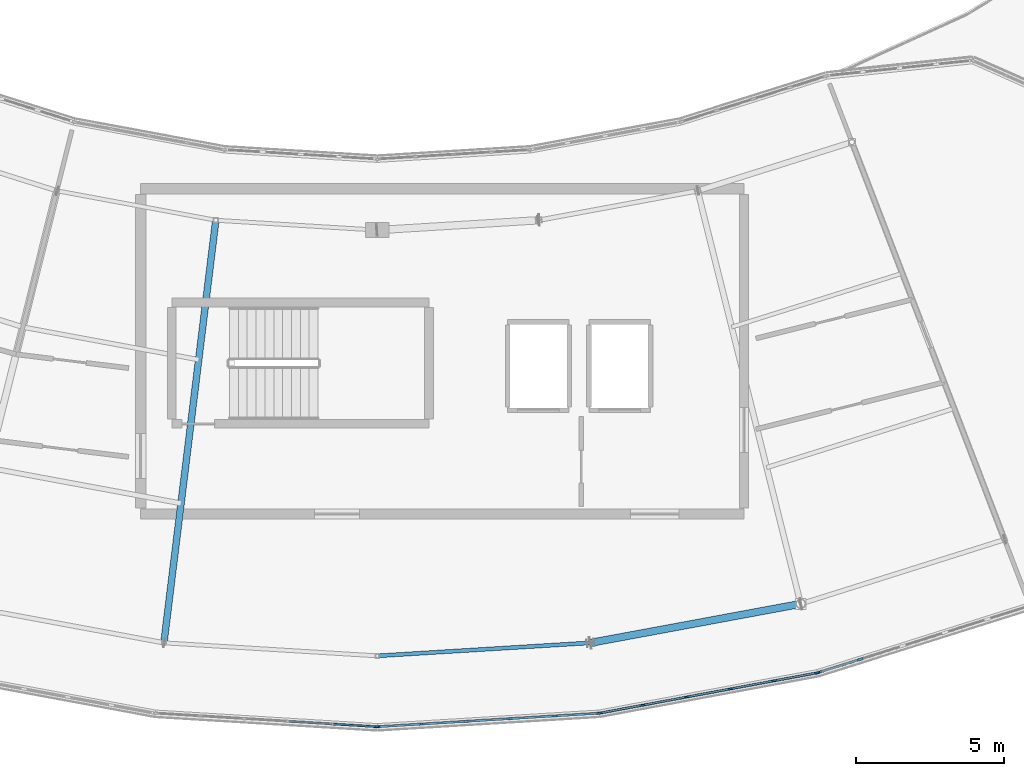
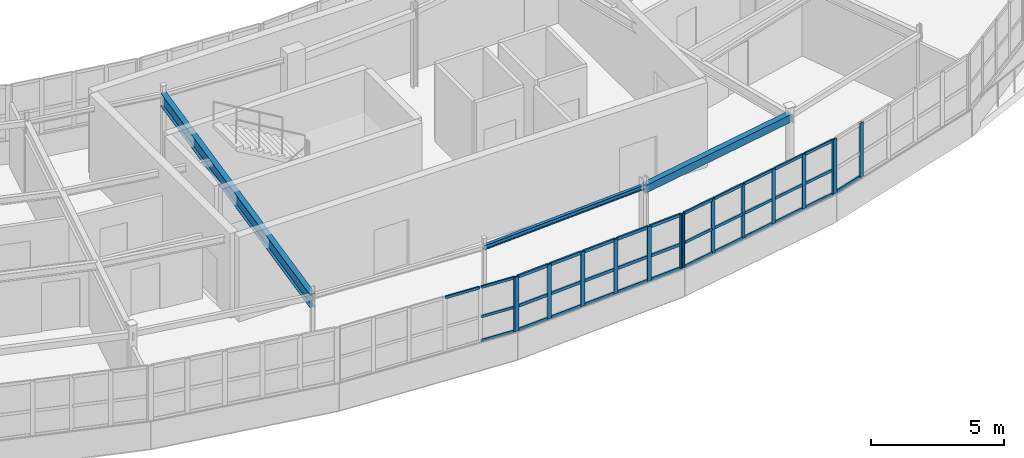
# One storey, part 19 of 65: 50 members, 3 beams, 4 elements without a shape of their own.
"""IFC4 building model written with IfcOpenShell, lengths in metres."""

import ifcopenshell
import ifcopenshell.guid

model = None  # the IFC model being written
_history = None  # IfcOwnerHistory: only IFC2X3 demands one
_inside = {}  # id of a spatial element -> (the spatial element, [elements in it])
_under = {}  # id of a project, library or spatial element -> (it, [spatial elements below it])
_declared = {}  # id of a project -> (the project, [libraries it declares])
_typed = {}  # id of a type object -> (the type object, [elements of that type])
_made_of = {}  # id of a material, layer set ... -> (it, [elements and type objects made of it])


def new_model(schema):
    """Start an empty IFC model of exactly this schema.

    Asked for "IFC4X3", IfcOpenShell would pick the latest addendum, in which some entities
    have other attributes; the version numbers below select the first issue.
    IFC2X3 requires an IfcOwnerHistory on every rooted entity: one is made here for all.
    """
    global model, _history
    if schema == "IFC4X3":
        model = ifcopenshell.file(schema_version=(4, 3, 0, 0))
    else:
        model = ifcopenshell.file(schema=schema)
    _inside.clear()
    _under.clear()
    _declared.clear()
    _typed.clear()
    _made_of.clear()
    _history = None
    if model.schema == "IFC2X3":
        org = make("IfcOrganization", Name="unknown")
        user = make(
            "IfcPersonAndOrganization",
            ThePerson=make("IfcPerson", FamilyName="unknown"),
            TheOrganization=org,
        )
        app = make(
            "IfcApplication",
            ApplicationDeveloper=org,
            Version="unknown",
            ApplicationFullName="unknown",
            ApplicationIdentifier="unknown",
        )
        _history = make(
            "IfcOwnerHistory",
            OwningUser=user,
            OwningApplication=app,
            ChangeAction="ADDED",
            CreationDate=0,
        )
    return model


def make(cls, **values):
    """One entity of the class cls with the attributes given. An attribute that is None is left unset."""
    return model.create_entity(
        cls, **{name: value for name, value in values.items() if value is not None}
    )


def rooted(cls, **values):
    """An entity with a GlobalId (a new one), such as an element, a storey or a relation."""
    return make(cls, GlobalId=ifcopenshell.guid.new(), OwnerHistory=_history, **values)


def si_unit(unit_type, name, prefix=None):
    """IfcSIUnit, for example si_unit("LENGTHUNIT", "METRE", prefix="MILLI")."""
    return make("IfcSIUnit", UnitType=unit_type, Prefix=prefix, Name=name)


def assignment(units):
    """IfcUnitAssignment: the units of a project."""
    return None if units is None else make("IfcUnitAssignment", Units=units)


def point(xyz):
    """IfcCartesianPoint."""
    return None if xyz is None else make("IfcCartesianPoint", Coordinates=xyz)


def direction(xyz):
    """IfcDirection."""
    return None if xyz is None else make("IfcDirection", DirectionRatios=xyz)


def frame(location, z_axis=None, x_axis=None):
    """IfcAxis2Placement3D, a coordinate frame: its origin and axes. An axis left out is left unset."""
    return make(
        "IfcAxis2Placement3D",
        Location=point(location),
        Axis=direction(z_axis),
        RefDirection=direction(x_axis),
    )


def frame_2d(location, x_axis=None):
    """IfcAxis2Placement2D, a coordinate frame in the plane: its origin and x axis."""
    return make(
        "IfcAxis2Placement2D", Location=point(location), RefDirection=direction(x_axis)
    )


def origin():
    """The frame at (0, 0, 0) with its axes left unset."""
    return frame((0.0, 0.0, 0.0))


def origin_2d():
    """The frame at (0, 0) in the plane with its x axis left unset."""
    return frame_2d((0.0, 0.0))


def place(relative_to, where):
    """IfcLocalPlacement: puts the frame where relative to a parent placement (None: the world)."""
    return make(
        "IfcLocalPlacement", PlacementRelTo=relative_to, RelativePlacement=where
    )


def context(
    kind, dimensions, precision=None, world=None, true_north=None, identifier=None
):
    """IfcGeometricRepresentationContext, for example the 3D "Model" context."""
    return make(
        "IfcGeometricRepresentationContext",
        ContextIdentifier=identifier,
        ContextType=kind,
        CoordinateSpaceDimension=dimensions,
        Precision=precision,
        WorldCoordinateSystem=world,
        TrueNorth=true_north,
    )


def subcontext(parent, identifier, kind, view, scale=None):
    """IfcGeometricRepresentationSubContext, for example "Body" below "Model"."""
    return make(
        "IfcGeometricRepresentationSubContext",
        ContextIdentifier=identifier,
        ContextType=kind,
        ParentContext=parent,
        TargetScale=scale,
        TargetView=view,
    )


def project(units=None, contexts=None):
    """IfcProject with its units and contexts."""
    return rooted(
        "IfcProject",
        Name="project",
        RepresentationContexts=contexts,
        UnitsInContext=assignment(units),
    )


def spatial(cls, under=None, at=None, **own):
    """A site, building, storey or space (cls), placed at a placement, below another one or the project."""
    s = rooted(cls, ObjectPlacement=at, **own)
    if under is not None:
        _under.setdefault(under.id(), (under, []))[1].append(s)
    return s


def profile(cls, at=None, kind="AREA", **sizes):
    """A parametric profile (cls). Its sizes go by their IFC names, for example OverallWidth=200.0."""
    return make(cls, ProfileType=kind, Position=at, **sizes)


def rectangle(**sizes):
    """IfcRectangleProfileDef."""
    return profile("IfcRectangleProfileDef", **sizes)


def hollow_rectangle(**sizes):
    """IfcRectangleHollowProfileDef."""
    return profile("IfcRectangleHollowProfileDef", **sizes)


def i_section(**sizes):
    """IfcIShapeProfileDef."""
    return profile("IfcIShapeProfileDef", **sizes)


def extrude(swept, where, along, depth):
    """IfcExtrudedAreaSolid: the profile swept, set in the frame where, extruded along a direction by depth."""
    return make(
        "IfcExtrudedAreaSolid",
        SweptArea=swept,
        Position=where,
        ExtrudedDirection=direction(along),
        Depth=depth,
    )


def shape(context_of_items, identifier, shape_type, items):
    """IfcShapeRepresentation: the items that make up one representation, for example the "Body"."""
    return make(
        "IfcShapeRepresentation",
        ContextOfItems=context_of_items,
        RepresentationIdentifier=identifier,
        RepresentationType=shape_type,
        Items=items,
    )


def material(Name=None, Category=None):
    """IfcMaterial."""
    return make("IfcMaterial", Name=Name, Category=Category)


def layer(
    of_material, thickness, ventilated=None, Name=None, Category=None, Priority=None
):
    """IfcMaterialLayer: one layer of a wall or slab, of a material (None: an air gap)."""
    return make(
        "IfcMaterialLayer",
        Material=of_material,
        LayerThickness=thickness,
        IsVentilated=ventilated,
        Name=Name,
        Category=Category,
        Priority=Priority,
    )


def layer_set(layers, Name=None):
    """IfcMaterialLayerSet."""
    return make("IfcMaterialLayerSet", MaterialLayers=layers, LayerSetName=Name)


def material_profile(
    of_material, cross_section, Name=None, Category=None, Priority=None
):
    """IfcMaterialProfile: a cross section and its material."""
    return make(
        "IfcMaterialProfile",
        Name=Name,
        Material=of_material,
        Profile=cross_section,
        Priority=Priority,
        Category=Category,
    )


def profile_set(profiles, Name=None, composite=None):
    """IfcMaterialProfileSet."""
    return make(
        "IfcMaterialProfileSet",
        Name=Name,
        MaterialProfiles=profiles,
        CompositeProfile=composite,
    )


def made_of(thing, what):
    """Note that an element or type object is made of a material, layer set ...; save() writes the relation."""
    if what is not None:
        _made_of.setdefault(what.id(), (what, []))[1].append(thing)
    return thing


def type_object(cls, material=None, **own):
    """A type object (cls), such as IfcWallType, which elements share."""
    return made_of(rooted(cls, **own), material)


def element(
    cls,
    number,
    at=None,
    inside=None,
    cuts=None,
    type_object=None,
    material=None,
    context=None,
    identifier="Body",
    shape_type=None,
    held_by="IfcProductDefinitionShape",
    body=None,
    shapes=None,
    **own,
):
    """One element of the class cls, such as IfcWall. Its Tag is "e" and its number.

    at: its placement. inside: the storey or other place that contains it. cuts: it is an
    opening in that element (IfcRelVoidsElement). A single representation is given by context,
    identifier, shape_type and body (its items); several are given by shapes. held_by: the class
    of the entity that holds the representations. save() writes the other relations.
    """
    e = rooted(cls, Tag="e%d" % number, ObjectPlacement=at, **own)
    if body is not None:
        shapes = [shape(context, identifier, shape_type, body)]
    if shapes is not None:
        e.Representation = make(held_by, Representations=shapes)
    if inside is not None:
        _inside.setdefault(inside.id(), (inside, []))[1].append(e)
    if cuts is not None:
        rooted(
            "IfcRelVoidsElement", RelatingBuildingElement=cuts, RelatedOpeningElement=e
        )
    if type_object is not None:
        _typed.setdefault(type_object.id(), (type_object, []))[1].append(e)
    return made_of(e, material)


def aggregate(whole, parts):
    """IfcRelAggregates: a whole, such as a stair, and the parts it consists of."""
    return rooted("IfcRelAggregates", RelatingObject=whole, RelatedObjects=parts)


def save(model, path):
    """Write the relations noted so far, then the file.

    IfcRelAggregates (storeys below a building ...), IfcRelContainedInSpatialStructure (elements
    in a storey), IfcRelDefinesByType, IfcRelAssociatesMaterial and IfcRelDeclares: one each for
    every whole, place, type object, material and project.
    """
    for whole, parts in _under.values():
        aggregate(whole, parts)
    for where, things in _inside.values():
        rooted(
            "IfcRelContainedInSpatialStructure",
            RelatedElements=things,
            RelatingStructure=where,
        )
    for kind, things in _typed.values():
        rooted("IfcRelDefinesByType", RelatedObjects=things, RelatingType=kind)
    for what, things in _made_of.values():
        rooted("IfcRelAssociatesMaterial", RelatedObjects=things, RelatingMaterial=what)
    for by, libraries in _declared.values():
        rooted("IfcRelDeclares", RelatingContext=by, RelatedDefinitions=libraries)
    model.write(path)


model = new_model("IFC4")

# Units and contexts
model_context = context("Model", 3, precision=1e-05, world=origin(), true_north=direction((0.0, 1.0)))
body_context = subcontext(model_context, "Body", "Model", "MODEL_VIEW")
ifc_project = project(units=[si_unit("LENGTHUNIT", "METRE"), si_unit("AREAUNIT", "SQUARE_METRE"), si_unit("VOLUMEUNIT", "CUBIC_METRE"), si_unit("PLANEANGLEUNIT", "RADIAN"), si_unit("MASSUNIT", "GRAM", prefix="KILO")], contexts=[model_context])

# Site, building, storey
site_placement = place(None, origin())
site = spatial("IfcSite", under=ifc_project, at=site_placement, CompositionType="ELEMENT")
building_placement = place(site_placement, origin())
building = spatial("IfcBuilding", under=site, at=building_placement, Name="Tarnwether General Hospital", CompositionType="ELEMENT")
storey_placement = place(building_placement, frame((0.0, 0.0, 22.199951171875)))
storey = spatial("IfcBuildingStorey", under=building, at=storey_placement, Name="L05", CompositionType="ELEMENT", Elevation=22.199951171875)

# Beams
ifc_material_1 = material(Name="Steel Grade 350 (350 MPa)", Category="steel")
ifc_material_profile_1 = material_profile(ifc_material_1, i_section(OverallWidth=0.22802734375, OverallDepth=0.60205078125, WebThickness=0.010498046875, FlangeThickness=0.014892578125, at=origin_2d()), Name="610UB101")
ifc_profile_set_1 = profile_set([ifc_material_profile_1], Name="Steel Grade 350 (350 MPa)")
beam_type_1 = type_object("IfcBeamType", Name="BM-G05", PredefinedType="BEAM", material=ifc_profile_set_1)
beam_1_placement = place(storey_placement, frame((84.784912109375, 4.240966796875, 3.259033203125), z_axis=(0.121881045946, 0.99254471468, 0.0), x_axis=(-0.99254471468, 0.121881045946, 0.0)))
element("IfcBeam", 1, at=beam_1_placement, inside=storey, type_object=beam_type_1, Name="Curved Ward SE Radial Girder BMG-L05-8478_424-8654_1853-2167", PredefinedType="BEAM", context=body_context, shape_type="SweptSolid", body=[
    extrude(i_section(OverallWidth=0.22802734375, OverallDepth=0.60205078125, WebThickness=0.010498046875, FlangeThickness=0.014892578125, at=origin_2d()), origin(), (0.0, 0.0, 1.0), 14.400390625),
])
ifc_material_2 = material(Name="Steel Grade 350 (350 MPa)", Category="steel")
ifc_material_profile_2 = material_profile(ifc_material_2, i_section(OverallWidth=0.133056640625, OverallDepth=0.201904296875, WebThickness=0.0048828125, FlangeThickness=0.007080078125, at=origin_2d()), Name="200UB22.3")
ifc_profile_set_2 = profile_set([ifc_material_profile_2], Name="Steel Grade 350 (350 MPa)")
beam_type_2 = type_object("IfcBeamType", Name="BM-SP6", PredefinedType="SPANDREL", material=ifc_profile_set_2)
beam_2_placement = place(storey_placement, frame((92.0, 3.800048828125, 3.458984375), z_axis=(0.998137964221, 0.060996757127, 0.0), x_axis=(-0.060996757127, 0.998137964221, 0.0)))
element("IfcBeam", 2, at=beam_2_placement, inside=storey, type_object=beam_type_2, Name="Curved Ward SE Outer Spandrel BMG-L05-9200_380-9922_424-2184", PredefinedType="SPANDREL", context=body_context, shape_type="SweptSolid", body=[
    extrude(i_section(OverallWidth=0.133056640625, OverallDepth=0.201904296875, WebThickness=0.0048828125, FlangeThickness=0.007080078125, at=origin_2d()), origin(), (0.0, 0.0, 1.0), 7.228515625),
])
ifc_material_3 = material(Name="Steel Grade C350L0 (350 MPa)", Category="steel")
ifc_material_profile_3 = material_profile(ifc_material_3, hollow_rectangle(XDim=0.25, YDim=0.35009765625, WallThickness=0.012451171875, at=origin_2d()), Name="RHS350x250x12.5")
ifc_profile_set_3 = profile_set([ifc_material_profile_3], Name="Steel Grade C350L0 (350 MPa)")
beam_type_3 = type_object("IfcBeamType", Name="BM-SP7", PredefinedType="SPANDREL", material=ifc_profile_set_3)
beam_3_placement = place(storey_placement, frame((99.215087890625, 4.240966796875, 3.385009765625), z_axis=(0.98325623662, 0.182228354399, 0.0), x_axis=(-0.182228354399, 0.98325623662, 0.0)))
element("IfcBeam", 3, at=beam_3_placement, inside=storey, type_object=beam_type_3, Name="Curved Ward SE Outer Spandrel BMG-L05-9922_424-10632_556-2186", PredefinedType="SPANDREL", context=body_context, shape_type="SweptSolid", body=[
    extrude(hollow_rectangle(XDim=0.25, YDim=0.35009765625, WallThickness=0.012451171875, at=origin_2d()), origin(), (0.0, 0.0, 1.0), 7.22802734375),
])

# Curtain wall, member
ifc_material_4 = material(Name="Anodised aluminium", Category="aluminium")
ifc_layer = layer(ifc_material_4, 0.159912109375)
ifc_layer_set = layer_set([ifc_layer], Name="Anodised aluminium")
curtain_wall_type = type_object("IfcCurtainWallType", Name="CW-10", PredefinedType="NOTDEFINED", material=ifc_layer_set)
curtain_wall_1_placement = place(storey_placement, origin())
curtain_wall_1 = element("IfcCurtainWall", 4, at=curtain_wall_1_placement, inside=storey, type_object=curtain_wall_type, Name="Curtain Wall CWG-L05-920_14-0222", PredefinedType="NOTDEFINED")
ifc_material_5 = material(Name="Anodised aluminium", Category="aluminium")
ifc_material_profile_4 = material_profile(ifc_material_5, rectangle(XDim=0.06005859375, YDim=0.159912109375, at=origin_2d()), Name="ALU-MUL-60x160")
ifc_profile_set_4 = profile_set([ifc_material_profile_4], Name="Anodised aluminium")
member_type_1 = type_object("IfcMemberType", Name="CW-ML1", PredefinedType="MULLION", material=ifc_profile_set_4)
member_1_placement = place(storey_placement, frame((91.969970703125, 1.40185546875, 1.050048828125), z_axis=(0.0, 0.0, 1.0), x_axis=(-0.061028962567, -0.998135995608, 0.0)))
member_1 = element("IfcMember", 5, at=member_1_placement, type_object=member_type_1, Name="CW-10 mullion 1", PredefinedType="MULLION", context=body_context, shape_type="SweptSolid", body=[
    extrude(rectangle(XDim=0.06005859375, YDim=0.159912109375, at=origin_2d()), origin(), (0.0, 0.0, 1.0), 2.510009765625),
])

# Curtain wall, members
curtain_wall_2_placement = place(storey_placement, origin())
curtain_wall_2 = element("IfcCurtainWall", 6, at=curtain_wall_2_placement, inside=storey, type_object=curtain_wall_type, Name="Curtain Wall CWG-L05-995_19-0223", PredefinedType="NOTDEFINED")
ifc_material_6 = material(Name="Anodised aluminium", Category="aluminium")
ifc_material_profile_5 = material_profile(ifc_material_6, rectangle(XDim=0.070068359375, YDim=0.179931640625, at=origin_2d()), Name="ALU-MUL-70x180")
ifc_profile_set_5 = profile_set([ifc_material_profile_5], Name="Anodised aluminium")
member_type_2 = type_object("IfcMemberType", Name="CW-ML2", PredefinedType="MULLION", material=ifc_profile_set_5)
member_2_placement = place(storey_placement, frame((99.47216796875, 1.85693359375, 1.050048828125), z_axis=(0.0, 0.0, 1.0), x_axis=(0.061028962567, -0.998135995608, 0.0)))
member_2 = element("IfcMember", 7, at=member_2_placement, type_object=member_type_2, Name="CW-10 mullion 1", PredefinedType="MULLION", context=body_context, shape_type="SweptSolid", body=[
    extrude(rectangle(XDim=0.070068359375, YDim=0.179931640625, at=origin_2d()), origin(), (0.0, 0.0, 1.0), 2.510009765625),
])
member_3_placement = place(storey_placement, frame((98.005615234375, 1.76708984375, 1.050048828125), z_axis=(0.0, 0.0, 1.0), x_axis=(0.061028962567, -0.998135995608, 0.0)))
member_3 = element("IfcMember", 8, at=member_3_placement, type_object=member_type_2, Name="CW-10 mullion 2", PredefinedType="MULLION", context=body_context, shape_type="SweptSolid", body=[
    extrude(rectangle(XDim=0.070068359375, YDim=0.179931640625, at=origin_2d()), origin(), (0.0, 0.0, 1.0), 2.510009765625),
])
member_4_placement = place(storey_placement, frame((96.504150390625, 1.67529296875, 1.050048828125), z_axis=(0.0, 0.0, 1.0), x_axis=(0.061028962567, -0.998135995608, 0.0)))
member_4 = element("IfcMember", 9, at=member_4_placement, type_object=member_type_2, Name="CW-10 mullion 3", PredefinedType="MULLION", context=body_context, shape_type="SweptSolid", body=[
    extrude(rectangle(XDim=0.070068359375, YDim=0.179931640625, at=origin_2d()), origin(), (0.0, 0.0, 1.0), 2.510009765625),
])
member_5_placement = place(storey_placement, frame((95.002685546875, 1.58349609375, 1.050048828125), z_axis=(0.0, 0.0, 1.0), x_axis=(0.061028962567, -0.998135995608, 0.0)))
member_5 = element("IfcMember", 10, at=member_5_placement, type_object=member_type_2, Name="CW-10 mullion 4", PredefinedType="MULLION", context=body_context, shape_type="SweptSolid", body=[
    extrude(rectangle(XDim=0.070068359375, YDim=0.179931640625, at=origin_2d()), origin(), (0.0, 0.0, 1.0), 2.510009765625),
])
member_6_placement = place(storey_placement, frame((93.50146484375, 1.49169921875, 1.050048828125), z_axis=(0.0, 0.0, 1.0), x_axis=(0.061028962567, -0.998135995608, 0.0)))
member_6 = element("IfcMember", 11, at=member_6_placement, type_object=member_type_2, Name="CW-10 mullion 5", PredefinedType="MULLION", context=body_context, shape_type="SweptSolid", body=[
    extrude(rectangle(XDim=0.070068359375, YDim=0.179931640625, at=origin_2d()), origin(), (0.0, 0.0, 1.0), 2.510009765625),
])
member_7_placement = place(storey_placement, frame((92.034912109375, 1.402099609375, 1.050048828125), z_axis=(0.0, 0.0, 1.0), x_axis=(0.061028962567, -0.998135995608, 0.0)))
member_7 = element("IfcMember", 12, at=member_7_placement, type_object=member_type_2, Name="CW-10 mullion 6", PredefinedType="MULLION", context=body_context, shape_type="SweptSolid", body=[
    extrude(rectangle(XDim=0.070068359375, YDim=0.179931640625, at=origin_2d()), origin(), (0.0, 0.0, 1.0), 2.510009765625),
])

curtain_wall_3_placement = place(storey_placement, origin())
curtain_wall_3 = element("IfcCurtainWall", 13, at=curtain_wall_3_placement, inside=storey, type_object=curtain_wall_type, Name="Curtain Wall CWG-L05-1069_32-0224", PredefinedType="NOTDEFINED")
ifc_material_7 = material(Name="Anodised aluminium", Category="aluminium")
ifc_material_profile_6 = material_profile(ifc_material_7, rectangle(XDim=0.06494140625, YDim=0.169921875, at=origin_2d()), Name="ALU-MUL-65x170")
ifc_profile_set_6 = profile_set([ifc_material_profile_6], Name="Anodised aluminium")
member_type_3 = type_object("IfcMemberType", Name="CW-ML3", PredefinedType="MULLION", material=ifc_profile_set_6)
member_8_placement = place(storey_placement, frame((106.8701171875, 3.22412109375, 1.050048828125), z_axis=(0.0, 0.0, 1.0), x_axis=(0.182289226614, -0.983244953132, 0.0)))
member_8 = element("IfcMember", 14, at=member_8_placement, type_object=member_type_3, Name="CW-10 mullion 1", PredefinedType="MULLION", context=body_context, shape_type="SweptSolid", body=[
    extrude(rectangle(XDim=0.06494140625, YDim=0.169921875, at=origin_2d()), origin(), (0.0, 0.0, 1.0), 2.510009765625),
])
member_9_placement = place(storey_placement, frame((105.423095703125, 2.955810546875, 1.050048828125), z_axis=(0.0, 0.0, 1.0), x_axis=(0.182289226614, -0.983244953132, 0.0)))
member_9 = element("IfcMember", 15, at=member_9_placement, type_object=member_type_3, Name="CW-10 mullion 2", PredefinedType="MULLION", context=body_context, shape_type="SweptSolid", body=[
    extrude(rectangle(XDim=0.06494140625, YDim=0.169921875, at=origin_2d()), origin(), (0.0, 0.0, 1.0), 2.510009765625),
])
member_10_placement = place(storey_placement, frame((103.944091796875, 2.681640625, 1.050048828125), z_axis=(0.0, 0.0, 1.0), x_axis=(0.182289226614, -0.983244953132, 0.0)))
member_10 = element("IfcMember", 16, at=member_10_placement, type_object=member_type_3, Name="CW-10 mullion 3", PredefinedType="MULLION", context=body_context, shape_type="SweptSolid", body=[
    extrude(rectangle(XDim=0.06494140625, YDim=0.169921875, at=origin_2d()), origin(), (0.0, 0.0, 1.0), 2.510009765625),
])
member_11_placement = place(storey_placement, frame((102.465087890625, 2.407470703125, 1.050048828125), z_axis=(0.0, 0.0, 1.0), x_axis=(0.182289226614, -0.983244953132, 0.0)))
member_11 = element("IfcMember", 17, at=member_11_placement, type_object=member_type_3, Name="CW-10 mullion 4", PredefinedType="MULLION", context=body_context, shape_type="SweptSolid", body=[
    extrude(rectangle(XDim=0.06494140625, YDim=0.169921875, at=origin_2d()), origin(), (0.0, 0.0, 1.0), 2.510009765625),
])
member_12_placement = place(storey_placement, frame((100.986083984375, 2.13330078125, 1.050048828125), z_axis=(0.0, 0.0, 1.0), x_axis=(0.182289226614, -0.983244953132, 0.0)))
member_12 = element("IfcMember", 18, at=member_12_placement, type_object=member_type_3, Name="CW-10 mullion 5", PredefinedType="MULLION", context=body_context, shape_type="SweptSolid", body=[
    extrude(rectangle(XDim=0.06494140625, YDim=0.169921875, at=origin_2d()), origin(), (0.0, 0.0, 1.0), 2.510009765625),
])
member_13_placement = place(storey_placement, frame((99.5390625, 1.864990234375, 1.050048828125), z_axis=(0.0, 0.0, 1.0), x_axis=(0.182289226614, -0.983244953132, 0.0)))
member_13 = element("IfcMember", 19, at=member_13_placement, type_object=member_type_3, Name="CW-10 mullion 6", PredefinedType="MULLION", context=body_context, shape_type="SweptSolid", body=[
    extrude(rectangle(XDim=0.06494140625, YDim=0.169921875, at=origin_2d()), origin(), (0.0, 0.0, 1.0), 2.510009765625),
])

curtain_wall_4_placement = place(storey_placement, origin())
curtain_wall_4 = element("IfcCurtainWall", 20, at=curtain_wall_4_placement, inside=storey, type_object=curtain_wall_type, Name="Curtain Wall CWG-L05-1141_55-0225", PredefinedType="NOTDEFINED")
ifc_material_8 = material(Name="Anodised aluminium", Category="aluminium")
ifc_material_profile_7 = material_profile(ifc_material_8, rectangle(XDim=0.080078125, YDim=0.199951171875, at=origin_2d()), Name="ALU-MUL-80x200")
ifc_profile_set_7 = profile_set([ifc_material_profile_7], Name="Anodised aluminium")
member_type_4 = type_object("IfcMemberType", Name="CW-ML4", PredefinedType="MULLION", material=ifc_profile_set_7)
member_14_placement = place(storey_placement, frame((108.336669921875, 3.68212890625, 1.050048828125), z_axis=(0.0, 0.0, 1.0), x_axis=(0.300628613299, -0.953741284032, 0.0)))
member_14 = element("IfcMember", 21, at=member_14_placement, type_object=member_type_4, Name="CW-10 mullion 5", PredefinedType="MULLION", context=body_context, shape_type="SweptSolid", body=[
    extrude(rectangle(XDim=0.080078125, YDim=0.199951171875, at=origin_2d()), origin(), (0.0, 0.0, 1.0), 2.510009765625),
])
member_15_placement = place(storey_placement, frame((106.940185546875, 3.241943359375, 1.050048828125), z_axis=(0.0, 0.0, 1.0), x_axis=(0.300628613299, -0.953741284032, 0.0)))
member_15 = element("IfcMember", 22, at=member_15_placement, type_object=member_type_4, Name="CW-10 mullion 6", PredefinedType="MULLION", context=body_context, shape_type="SweptSolid", body=[
    extrude(rectangle(XDim=0.080078125, YDim=0.199951171875, at=origin_2d()), origin(), (0.0, 0.0, 1.0), 2.510009765625),
])

# Member
ifc_material_9 = material(Name="Anodised aluminium", Category="aluminium")
ifc_material_profile_8 = material_profile(ifc_material_9, rectangle(XDim=0.06005859375, YDim=0.1201171875, at=origin_2d()), Name="ALU-TRN-60x120")
ifc_profile_set_8 = profile_set([ifc_material_profile_8], Name="Anodised aluminium")
member_type_5 = type_object("IfcMemberType", Name="CW-TR1", PredefinedType="USERDEFINED", material=ifc_profile_set_8)
member_16_placement = place(storey_placement, frame((91.940185546875, 1.403564453125, 1.080078125), z_axis=(-0.998131033565, 0.06111006328, 0.0), x_axis=(-0.06111006328, -0.998131033565, 0.0)))
member_16 = element("IfcMember", 23, at=member_16_placement, type_object=member_type_5, Name="CW-10 transom 1.1", ObjectType="TRANSOM", PredefinedType="USERDEFINED", context=body_context, shape_type="SweptSolid", body=[
    extrude(rectangle(XDim=0.06005859375, YDim=0.1201171875, at=origin_2d()), origin(), (0.0, 0.0, 1.0), 1.414306640625),
])

member_17_placement = place(storey_placement, frame((91.940185546875, 1.403564453125, 2.179443359375), z_axis=(-0.998131033565, 0.06111006328, 0.0), x_axis=(-0.06111006328, -0.998131033565, 0.0)))
member_17 = element("IfcMember", 24, at=member_17_placement, type_object=member_type_5, Name="CW-10 transom 1.2", ObjectType="TRANSOM", PredefinedType="USERDEFINED", context=body_context, shape_type="SweptSolid", body=[
    extrude(rectangle(XDim=0.06005859375, YDim=0.1201171875, at=origin_2d()), origin(), (0.0, 0.0, 1.0), 1.414306640625),
])

member_18_placement = place(storey_placement, frame((91.940185546875, 1.403564453125, 3.530029296875), z_axis=(-0.998131033565, 0.06111006328, 0.0), x_axis=(-0.06111006328, -0.998131033565, 0.0)))
member_18 = element("IfcMember", 25, at=member_18_placement, type_object=member_type_5, Name="CW-10 transom 1.3", ObjectType="TRANSOM", PredefinedType="USERDEFINED", context=body_context, shape_type="SweptSolid", body=[
    extrude(rectangle(XDim=0.06005859375, YDim=0.1201171875, at=origin_2d()), origin(), (0.0, 0.0, 1.0), 1.414306640625),
])

member_19_placement = place(storey_placement, frame((90.46875, 1.49365234375, 3.530029296875), z_axis=(-0.998136500325, 0.061020707302, 0.0), x_axis=(-0.061020707302, -0.998136500325, 0.0)))
member_19 = element("IfcMember", 26, at=member_19_placement, type_object=member_type_5, Name="CW-10 transom 2.3", ObjectType="TRANSOM", PredefinedType="USERDEFINED", context=body_context, shape_type="SweptSolid", body=[
    extrude(rectangle(XDim=0.06005859375, YDim=0.1201171875, at=origin_2d()), origin(), (0.0, 0.0, 1.0), 1.4443359375),
])

aggregate(curtain_wall_1, [member_1, member_16, member_17, member_18, member_19])

ifc_material_10 = material(Name="Anodised aluminium", Category="aluminium")
ifc_material_profile_9 = material_profile(ifc_material_10, rectangle(XDim=0.070068359375, YDim=0.139892578125, at=origin_2d()), Name="ALU-TRN-70x140")
ifc_profile_set_9 = profile_set([ifc_material_profile_9], Name="Anodised aluminium")
member_type_6 = type_object("IfcMemberType", Name="CW-TR2", PredefinedType="USERDEFINED", material=ifc_profile_set_9)
member_20_placement = place(storey_placement, frame((99.43701171875, 1.854736328125, 1.0849609375), z_axis=(-0.998133205119, -0.061074584229, 0.0), x_axis=(0.061074584229, -0.998133205119, 0.0)))
member_20 = element("IfcMember", 27, at=member_20_placement, type_object=member_type_6, Name="CW-10 transom 1.1", ObjectType="TRANSOM", PredefinedType="USERDEFINED", context=body_context, shape_type="SweptSolid", body=[
    extrude(rectangle(XDim=0.070068359375, YDim=0.139892578125, at=origin_2d()), origin(), (0.0, 0.0, 1.0), 1.399169921875),
])

member_21_placement = place(storey_placement, frame((99.43701171875, 1.854736328125, 2.179443359375), z_axis=(-0.998133205119, -0.061074584229, 0.0), x_axis=(0.061074584229, -0.998133205119, 0.0)))
member_21 = element("IfcMember", 28, at=member_21_placement, type_object=member_type_6, Name="CW-10 transom 1.2", ObjectType="TRANSOM", PredefinedType="USERDEFINED", context=body_context, shape_type="SweptSolid", body=[
    extrude(rectangle(XDim=0.070068359375, YDim=0.139892578125, at=origin_2d()), origin(), (0.0, 0.0, 1.0), 1.399169921875),
])

member_22_placement = place(storey_placement, frame((99.43701171875, 1.854736328125, 3.525146484375), z_axis=(-0.998133205119, -0.061074584229, 0.0), x_axis=(0.061074584229, -0.998133205119, 0.0)))
member_22 = element("IfcMember", 29, at=member_22_placement, type_object=member_type_6, Name="CW-10 transom 1.3", ObjectType="TRANSOM", PredefinedType="USERDEFINED", context=body_context, shape_type="SweptSolid", body=[
    extrude(rectangle(XDim=0.070068359375, YDim=0.139892578125, at=origin_2d()), origin(), (0.0, 0.0, 1.0), 1.399169921875),
])

member_23_placement = place(storey_placement, frame((97.970703125, 1.76513671875, 1.0849609375), z_axis=(-0.998131245443, -0.061106602509, 0.0), x_axis=(0.061106602509, -0.998131245443, 0.0)))
member_23 = element("IfcMember", 30, at=member_23_placement, type_object=member_type_6, Name="CW-10 transom 2.1", ObjectType="TRANSOM", PredefinedType="USERDEFINED", context=body_context, shape_type="SweptSolid", body=[
    extrude(rectangle(XDim=0.070068359375, YDim=0.139892578125, at=origin_2d()), origin(), (0.0, 0.0, 1.0), 1.434326171875),
])

member_24_placement = place(storey_placement, frame((97.970703125, 1.76513671875, 2.179443359375), z_axis=(-0.998131245443, -0.061106602509, 0.0), x_axis=(0.061106602509, -0.998131245443, 0.0)))
member_24 = element("IfcMember", 31, at=member_24_placement, type_object=member_type_6, Name="CW-10 transom 2.2", ObjectType="TRANSOM", PredefinedType="USERDEFINED", context=body_context, shape_type="SweptSolid", body=[
    extrude(rectangle(XDim=0.070068359375, YDim=0.139892578125, at=origin_2d()), origin(), (0.0, 0.0, 1.0), 1.434326171875),
])

member_25_placement = place(storey_placement, frame((97.970703125, 1.76513671875, 3.525146484375), z_axis=(-0.998131245443, -0.061106602509, 0.0), x_axis=(0.061106602509, -0.998131245443, 0.0)))
member_25 = element("IfcMember", 32, at=member_25_placement, type_object=member_type_6, Name="CW-10 transom 2.3", ObjectType="TRANSOM", PredefinedType="USERDEFINED", context=body_context, shape_type="SweptSolid", body=[
    extrude(rectangle(XDim=0.070068359375, YDim=0.139892578125, at=origin_2d()), origin(), (0.0, 0.0, 1.0), 1.434326171875),
])

member_26_placement = place(storey_placement, frame((96.46923828125, 1.67333984375, 1.0849609375), z_axis=(-0.998130609701, -0.061116985994, 0.0), x_axis=(0.061116985994, -0.998130609701, 0.0)))
member_26 = element("IfcMember", 33, at=member_26_placement, type_object=member_type_6, Name="CW-10 transom 3.1", ObjectType="TRANSOM", PredefinedType="USERDEFINED", context=body_context, shape_type="SweptSolid", body=[
    extrude(rectangle(XDim=0.070068359375, YDim=0.139892578125, at=origin_2d()), origin(), (0.0, 0.0, 1.0), 1.43408203125),
])

member_27_placement = place(storey_placement, frame((96.46923828125, 1.67333984375, 2.179443359375), z_axis=(-0.998130609701, -0.061116985994, 0.0), x_axis=(0.061116985994, -0.998130609701, 0.0)))
member_27 = element("IfcMember", 34, at=member_27_placement, type_object=member_type_6, Name="CW-10 transom 3.2", ObjectType="TRANSOM", PredefinedType="USERDEFINED", context=body_context, shape_type="SweptSolid", body=[
    extrude(rectangle(XDim=0.070068359375, YDim=0.139892578125, at=origin_2d()), origin(), (0.0, 0.0, 1.0), 1.43408203125),
])

member_28_placement = place(storey_placement, frame((96.46923828125, 1.67333984375, 3.525146484375), z_axis=(-0.998130609701, -0.061116985994, 0.0), x_axis=(0.061116985994, -0.998130609701, 0.0)))
member_28 = element("IfcMember", 35, at=member_28_placement, type_object=member_type_6, Name="CW-10 transom 3.3", ObjectType="TRANSOM", PredefinedType="USERDEFINED", context=body_context, shape_type="SweptSolid", body=[
    extrude(rectangle(XDim=0.070068359375, YDim=0.139892578125, at=origin_2d()), origin(), (0.0, 0.0, 1.0), 1.43408203125),
])

member_29_placement = place(storey_placement, frame((94.9677734375, 1.58154296875, 1.0849609375), z_axis=(-0.998130609701, -0.061116985994, 0.0), x_axis=(0.061116985994, -0.998130609701, 0.0)))
member_29 = element("IfcMember", 36, at=member_29_placement, type_object=member_type_6, Name="CW-10 transom 4.1", ObjectType="TRANSOM", PredefinedType="USERDEFINED", context=body_context, shape_type="SweptSolid", body=[
    extrude(rectangle(XDim=0.070068359375, YDim=0.139892578125, at=origin_2d()), origin(), (0.0, 0.0, 1.0), 1.43408203125),
])

member_30_placement = place(storey_placement, frame((94.9677734375, 1.58154296875, 2.179443359375), z_axis=(-0.998130609701, -0.061116985994, 0.0), x_axis=(0.061116985994, -0.998130609701, 0.0)))
member_30 = element("IfcMember", 37, at=member_30_placement, type_object=member_type_6, Name="CW-10 transom 4.2", ObjectType="TRANSOM", PredefinedType="USERDEFINED", context=body_context, shape_type="SweptSolid", body=[
    extrude(rectangle(XDim=0.070068359375, YDim=0.139892578125, at=origin_2d()), origin(), (0.0, 0.0, 1.0), 1.43408203125),
])

member_31_placement = place(storey_placement, frame((94.9677734375, 1.58154296875, 3.525146484375), z_axis=(-0.998130609701, -0.061116985994, 0.0), x_axis=(0.061116985994, -0.998130609701, 0.0)))
member_31 = element("IfcMember", 38, at=member_31_placement, type_object=member_type_6, Name="CW-10 transom 4.3", ObjectType="TRANSOM", PredefinedType="USERDEFINED", context=body_context, shape_type="SweptSolid", body=[
    extrude(rectangle(XDim=0.070068359375, YDim=0.139892578125, at=origin_2d()), origin(), (0.0, 0.0, 1.0), 1.43408203125),
])

member_32_placement = place(storey_placement, frame((93.466552734375, 1.48974609375, 1.0849609375), z_axis=(-0.998133855848, -0.061063948531, 0.0), x_axis=(0.061063948531, -0.998133855848, 0.0)))
member_32 = element("IfcMember", 39, at=member_32_placement, type_object=member_type_6, Name="CW-10 transom 5.1", ObjectType="TRANSOM", PredefinedType="USERDEFINED", context=body_context, shape_type="SweptSolid", body=[
    extrude(rectangle(XDim=0.070068359375, YDim=0.139892578125, at=origin_2d()), origin(), (0.0, 0.0, 1.0), 1.3994140625),
])

member_33_placement = place(storey_placement, frame((93.466552734375, 1.48974609375, 2.179443359375), z_axis=(-0.998133855848, -0.061063948531, 0.0), x_axis=(0.061063948531, -0.998133855848, 0.0)))
member_33 = element("IfcMember", 40, at=member_33_placement, type_object=member_type_6, Name="CW-10 transom 5.2", ObjectType="TRANSOM", PredefinedType="USERDEFINED", context=body_context, shape_type="SweptSolid", body=[
    extrude(rectangle(XDim=0.070068359375, YDim=0.139892578125, at=origin_2d()), origin(), (0.0, 0.0, 1.0), 1.3994140625),
])

member_34_placement = place(storey_placement, frame((93.466552734375, 1.48974609375, 3.525146484375), z_axis=(-0.998133855848, -0.061063948531, 0.0), x_axis=(0.061063948531, -0.998133855848, 0.0)))
member_34 = element("IfcMember", 41, at=member_34_placement, type_object=member_type_6, Name="CW-10 transom 5.3", ObjectType="TRANSOM", PredefinedType="USERDEFINED", context=body_context, shape_type="SweptSolid", body=[
    extrude(rectangle(XDim=0.070068359375, YDim=0.139892578125, at=origin_2d()), origin(), (0.0, 0.0, 1.0), 1.3994140625),
])

aggregate(curtain_wall_2, [member_2, member_3, member_4, member_5, member_6, member_7, member_20, member_21, member_22, member_23, member_24, member_25, member_26, member_27, member_28, member_29, member_30, member_31, member_32, member_33, member_34])

ifc_material_11 = material(Name="Anodised aluminium", Category="aluminium")
ifc_material_profile_10 = material_profile(ifc_material_11, rectangle(XDim=0.06494140625, YDim=0.1298828125, at=origin_2d()), Name="ALU-TRN-65x130")
ifc_profile_set_10 = profile_set([ifc_material_profile_10], Name="Anodised aluminium")
member_type_7 = type_object("IfcMemberType", Name="CW-TR3", PredefinedType="USERDEFINED", material=ifc_profile_set_10)
member_35_placement = place(storey_placement, frame((106.838134765625, 3.21826171875, 1.08251953125), z_axis=(-0.983227876947, -0.182381309331, 0.0), x_axis=(0.182381309331, -0.983227876947, 0.0)))
member_35 = element("IfcMember", 42, at=member_35_placement, type_object=member_type_7, Name="CW-10 transom 1.1", ObjectType="TRANSOM", PredefinedType="USERDEFINED", context=body_context, shape_type="SweptSolid", body=[
    extrude(rectangle(XDim=0.06494140625, YDim=0.1298828125, at=origin_2d()), origin(), (0.0, 0.0, 1.0), 1.406982421875),
])

member_36_placement = place(storey_placement, frame((106.838134765625, 3.21826171875, 2.179443359375), z_axis=(-0.983227876947, -0.182381309331, 0.0), x_axis=(0.182381309331, -0.983227876947, 0.0)))
member_36 = element("IfcMember", 43, at=member_36_placement, type_object=member_type_7, Name="CW-10 transom 1.2", ObjectType="TRANSOM", PredefinedType="USERDEFINED", context=body_context, shape_type="SweptSolid", body=[
    extrude(rectangle(XDim=0.06494140625, YDim=0.1298828125, at=origin_2d()), origin(), (0.0, 0.0, 1.0), 1.406982421875),
])

member_37_placement = place(storey_placement, frame((106.838134765625, 3.21826171875, 3.527587890625), z_axis=(-0.983227876947, -0.182381309331, 0.0), x_axis=(0.182381309331, -0.983227876947, 0.0)))
member_37 = element("IfcMember", 44, at=member_37_placement, type_object=member_type_7, Name="CW-10 transom 1.3", ObjectType="TRANSOM", PredefinedType="USERDEFINED", context=body_context, shape_type="SweptSolid", body=[
    extrude(rectangle(XDim=0.06494140625, YDim=0.1298828125, at=origin_2d()), origin(), (0.0, 0.0, 1.0), 1.406982421875),
])

member_38_placement = place(storey_placement, frame((105.39111328125, 2.949951171875, 1.08251953125), z_axis=(-0.983231345079, -0.182362611449, 0.0), x_axis=(0.182362611449, -0.983231345079, 0.0)))
member_38 = element("IfcMember", 45, at=member_38_placement, type_object=member_type_7, Name="CW-10 transom 2.1", ObjectType="TRANSOM", PredefinedType="USERDEFINED", context=body_context, shape_type="SweptSolid", body=[
    extrude(rectangle(XDim=0.06494140625, YDim=0.1298828125, at=origin_2d()), origin(), (0.0, 0.0, 1.0), 1.439208984375),
])

member_39_placement = place(storey_placement, frame((105.39111328125, 2.949951171875, 2.179443359375), z_axis=(-0.983231345079, -0.182362611449, 0.0), x_axis=(0.182362611449, -0.983231345079, 0.0)))
member_39 = element("IfcMember", 46, at=member_39_placement, type_object=member_type_7, Name="CW-10 transom 2.2", ObjectType="TRANSOM", PredefinedType="USERDEFINED", context=body_context, shape_type="SweptSolid", body=[
    extrude(rectangle(XDim=0.06494140625, YDim=0.1298828125, at=origin_2d()), origin(), (0.0, 0.0, 1.0), 1.439208984375),
])

member_40_placement = place(storey_placement, frame((105.39111328125, 2.949951171875, 3.527587890625), z_axis=(-0.983231345079, -0.182362611449, 0.0), x_axis=(0.182362611449, -0.983231345079, 0.0)))
member_40 = element("IfcMember", 47, at=member_40_placement, type_object=member_type_7, Name="CW-10 transom 2.3", ObjectType="TRANSOM", PredefinedType="USERDEFINED", context=body_context, shape_type="SweptSolid", body=[
    extrude(rectangle(XDim=0.06494140625, YDim=0.1298828125, at=origin_2d()), origin(), (0.0, 0.0, 1.0), 1.439208984375),
])

member_41_placement = place(storey_placement, frame((103.912109375, 2.67578125, 1.08251953125), z_axis=(-0.983231345079, -0.182362611449, 0.0), x_axis=(0.182362611449, -0.983231345079, 0.0)))
member_41 = element("IfcMember", 48, at=member_41_placement, type_object=member_type_7, Name="CW-10 transom 3.1", ObjectType="TRANSOM", PredefinedType="USERDEFINED", context=body_context, shape_type="SweptSolid", body=[
    extrude(rectangle(XDim=0.06494140625, YDim=0.1298828125, at=origin_2d()), origin(), (0.0, 0.0, 1.0), 1.439208984375),
])

member_42_placement = place(storey_placement, frame((103.912109375, 2.67578125, 2.179443359375), z_axis=(-0.983231345079, -0.182362611449, 0.0), x_axis=(0.182362611449, -0.983231345079, 0.0)))
member_42 = element("IfcMember", 49, at=member_42_placement, type_object=member_type_7, Name="CW-10 transom 3.2", ObjectType="TRANSOM", PredefinedType="USERDEFINED", context=body_context, shape_type="SweptSolid", body=[
    extrude(rectangle(XDim=0.06494140625, YDim=0.1298828125, at=origin_2d()), origin(), (0.0, 0.0, 1.0), 1.439208984375),
])

member_43_placement = place(storey_placement, frame((103.912109375, 2.67578125, 3.527587890625), z_axis=(-0.983231345079, -0.182362611449, 0.0), x_axis=(0.182362611449, -0.983231345079, 0.0)))
member_43 = element("IfcMember", 50, at=member_43_placement, type_object=member_type_7, Name="CW-10 transom 3.3", ObjectType="TRANSOM", PredefinedType="USERDEFINED", context=body_context, shape_type="SweptSolid", body=[
    extrude(rectangle(XDim=0.06494140625, YDim=0.1298828125, at=origin_2d()), origin(), (0.0, 0.0, 1.0), 1.439208984375),
])

member_44_placement = place(storey_placement, frame((102.43310546875, 2.4013671875, 1.08251953125), z_axis=(-0.983261749515, -0.182198605759, 0.0), x_axis=(0.182198605759, -0.983261749515, 0.0)))
member_44 = element("IfcMember", 51, at=member_44_placement, type_object=member_type_7, Name="CW-10 transom 4.1", ObjectType="TRANSOM", PredefinedType="USERDEFINED", context=body_context, shape_type="SweptSolid", body=[
    extrude(rectangle(XDim=0.06494140625, YDim=0.1298828125, at=origin_2d()), origin(), (0.0, 0.0, 1.0), 1.439208984375),
])

member_45_placement = place(storey_placement, frame((102.43310546875, 2.4013671875, 2.179443359375), z_axis=(-0.983261749515, -0.182198605759, 0.0), x_axis=(0.182198605759, -0.983261749515, 0.0)))
member_45 = element("IfcMember", 52, at=member_45_placement, type_object=member_type_7, Name="CW-10 transom 4.2", ObjectType="TRANSOM", PredefinedType="USERDEFINED", context=body_context, shape_type="SweptSolid", body=[
    extrude(rectangle(XDim=0.06494140625, YDim=0.1298828125, at=origin_2d()), origin(), (0.0, 0.0, 1.0), 1.439208984375),
])

member_46_placement = place(storey_placement, frame((102.43310546875, 2.4013671875, 3.527587890625), z_axis=(-0.983261749515, -0.182198605759, 0.0), x_axis=(0.182198605759, -0.983261749515, 0.0)))
member_46 = element("IfcMember", 53, at=member_46_placement, type_object=member_type_7, Name="CW-10 transom 4.3", ObjectType="TRANSOM", PredefinedType="USERDEFINED", context=body_context, shape_type="SweptSolid", body=[
    extrude(rectangle(XDim=0.06494140625, YDim=0.1298828125, at=origin_2d()), origin(), (0.0, 0.0, 1.0), 1.439208984375),
])

member_47_placement = place(storey_placement, frame((100.9541015625, 2.127197265625, 1.08251953125), z_axis=(-0.983258981652, -0.182213542311, 0.0), x_axis=(0.182213542311, -0.983258981652, 0.0)))
member_47 = element("IfcMember", 54, at=member_47_placement, type_object=member_type_7, Name="CW-10 transom 5.1", ObjectType="TRANSOM", PredefinedType="USERDEFINED", context=body_context, shape_type="SweptSolid", body=[
    extrude(rectangle(XDim=0.06494140625, YDim=0.1298828125, at=origin_2d()), origin(), (0.0, 0.0, 1.0), 1.40673828125),
])

member_48_placement = place(storey_placement, frame((100.9541015625, 2.127197265625, 2.179443359375), z_axis=(-0.983258981652, -0.182213542311, 0.0), x_axis=(0.182213542311, -0.983258981652, 0.0)))
member_48 = element("IfcMember", 55, at=member_48_placement, type_object=member_type_7, Name="CW-10 transom 5.2", ObjectType="TRANSOM", PredefinedType="USERDEFINED", context=body_context, shape_type="SweptSolid", body=[
    extrude(rectangle(XDim=0.06494140625, YDim=0.1298828125, at=origin_2d()), origin(), (0.0, 0.0, 1.0), 1.40673828125),
])

member_49_placement = place(storey_placement, frame((100.9541015625, 2.127197265625, 3.527587890625), z_axis=(-0.983258981652, -0.182213542311, 0.0), x_axis=(0.182213542311, -0.983258981652, 0.0)))
member_49 = element("IfcMember", 56, at=member_49_placement, type_object=member_type_7, Name="CW-10 transom 5.3", ObjectType="TRANSOM", PredefinedType="USERDEFINED", context=body_context, shape_type="SweptSolid", body=[
    extrude(rectangle(XDim=0.06494140625, YDim=0.1298828125, at=origin_2d()), origin(), (0.0, 0.0, 1.0), 1.40673828125),
])

aggregate(curtain_wall_3, [member_8, member_9, member_10, member_11, member_12, member_13, member_35, member_36, member_37, member_38, member_39, member_40, member_41, member_42, member_43, member_44, member_45, member_46, member_47, member_48, member_49])

ifc_material_12 = material(Name="Anodised aluminium", Category="aluminium")
ifc_material_profile_11 = material_profile(ifc_material_12, rectangle(XDim=0.080078125, YDim=0.14990234375, at=origin_2d()), Name="ALU-TRN-80x150")
ifc_profile_set_11 = profile_set([ifc_material_profile_11], Name="Anodised aluminium")
member_type_8 = type_object("IfcMemberType", Name="CW-TR4", PredefinedType="USERDEFINED", material=ifc_profile_set_11)
member_50_placement = place(storey_placement, frame((108.29833984375, 3.670166015625, 1.090087890625), z_axis=(-0.95375845132, -0.300574144821, 0.0), x_axis=(0.300574144821, -0.95375845132, 0.0)))
member_50 = element("IfcMember", 57, at=member_50_placement, type_object=member_type_8, Name="CW-10 transom 5.1", ObjectType="TRANSOM", PredefinedType="USERDEFINED", context=body_context, shape_type="SweptSolid", body=[
    extrude(rectangle(XDim=0.080078125, YDim=0.14990234375, at=origin_2d()), origin(), (0.0, 0.0, 1.0), 1.384033203125),
])

aggregate(curtain_wall_4, [member_14, member_15, member_50])

save(model, "model.ifc")
